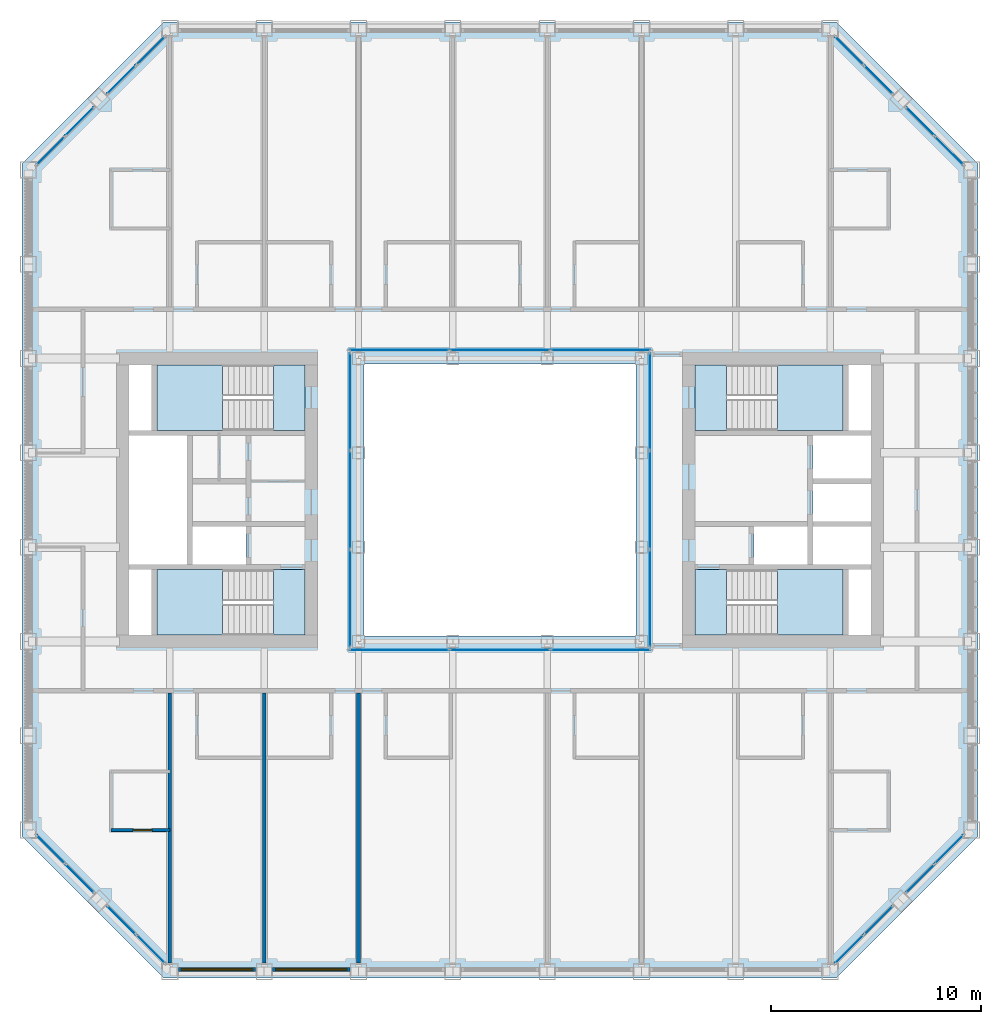
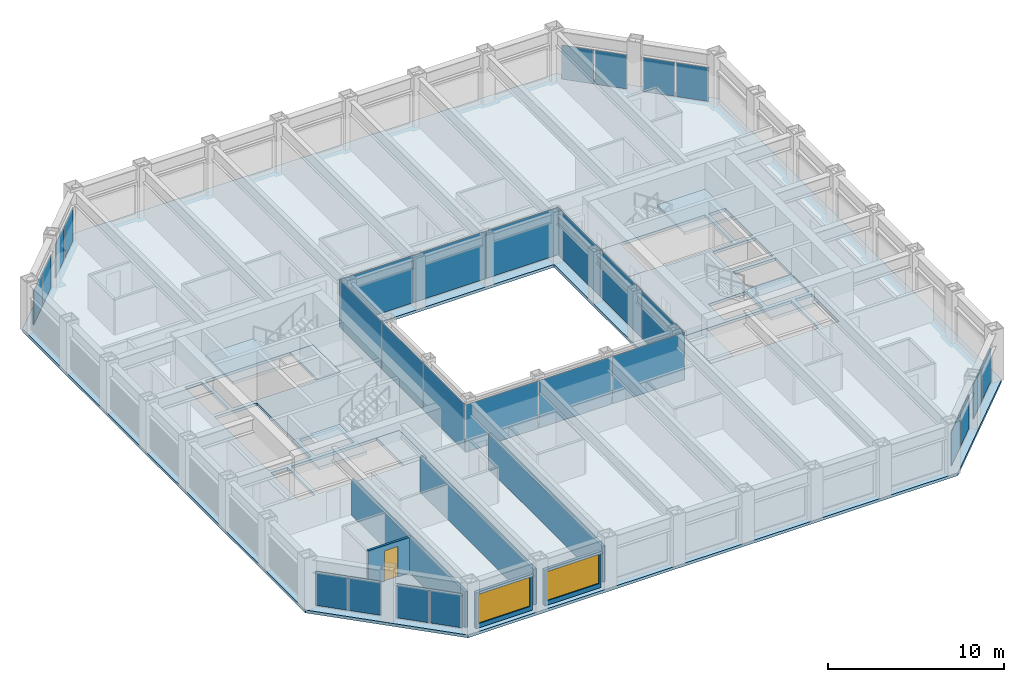
# One storey, part 9 of 17: 28 plates, 9 slabs, 6 walls, 2 windows, 1 door, 3 openings, 16 elements without a shape of their own.
"""IFC4 building model written with IfcOpenShell, lengths in metres."""

import ifcopenshell
import ifcopenshell.guid

model = None  # the IFC model being written
_history = None  # IfcOwnerHistory: only IFC2X3 demands one
_inside = {}  # id of a spatial element -> (the spatial element, [elements in it])
_under = {}  # id of a project, library or spatial element -> (it, [spatial elements below it])
_declared = {}  # id of a project -> (the project, [libraries it declares])
_typed = {}  # id of a type object -> (the type object, [elements of that type])
_made_of = {}  # id of a material, layer set ... -> (it, [elements and type objects made of it])


def new_model(schema):
    """Start an empty IFC model of exactly this schema.

    Asked for "IFC4X3", IfcOpenShell would pick the latest addendum, in which some entities
    have other attributes; the version numbers below select the first issue.
    IFC2X3 requires an IfcOwnerHistory on every rooted entity: one is made here for all.
    """
    global model, _history
    if schema == "IFC4X3":
        model = ifcopenshell.file(schema_version=(4, 3, 0, 0))
    else:
        model = ifcopenshell.file(schema=schema)
    _inside.clear()
    _under.clear()
    _declared.clear()
    _typed.clear()
    _made_of.clear()
    _history = None
    if model.schema == "IFC2X3":
        org = make("IfcOrganization", Name="unknown")
        user = make(
            "IfcPersonAndOrganization",
            ThePerson=make("IfcPerson", FamilyName="unknown"),
            TheOrganization=org,
        )
        app = make(
            "IfcApplication",
            ApplicationDeveloper=org,
            Version="unknown",
            ApplicationFullName="unknown",
            ApplicationIdentifier="unknown",
        )
        _history = make(
            "IfcOwnerHistory",
            OwningUser=user,
            OwningApplication=app,
            ChangeAction="ADDED",
            CreationDate=0,
        )
    return model


def make(cls, **values):
    """One entity of the class cls with the attributes given. An attribute that is None is left unset."""
    return model.create_entity(
        cls, **{name: value for name, value in values.items() if value is not None}
    )


def rooted(cls, **values):
    """An entity with a GlobalId (a new one), such as an element, a storey or a relation."""
    return make(cls, GlobalId=ifcopenshell.guid.new(), OwnerHistory=_history, **values)


def si_unit(unit_type, name, prefix=None):
    """IfcSIUnit, for example si_unit("LENGTHUNIT", "METRE", prefix="MILLI")."""
    return make("IfcSIUnit", UnitType=unit_type, Prefix=prefix, Name=name)


def assignment(units):
    """IfcUnitAssignment: the units of a project."""
    return None if units is None else make("IfcUnitAssignment", Units=units)


def point(xyz):
    """IfcCartesianPoint."""
    return None if xyz is None else make("IfcCartesianPoint", Coordinates=xyz)


def direction(xyz):
    """IfcDirection."""
    return None if xyz is None else make("IfcDirection", DirectionRatios=xyz)


def frame(location, z_axis=None, x_axis=None):
    """IfcAxis2Placement3D, a coordinate frame: its origin and axes. An axis left out is left unset."""
    return make(
        "IfcAxis2Placement3D",
        Location=point(location),
        Axis=direction(z_axis),
        RefDirection=direction(x_axis),
    )


def frame_2d(location, x_axis=None):
    """IfcAxis2Placement2D, a coordinate frame in the plane: its origin and x axis."""
    return make(
        "IfcAxis2Placement2D", Location=point(location), RefDirection=direction(x_axis)
    )


def origin():
    """The frame at (0, 0, 0) with its axes left unset."""
    return frame((0.0, 0.0, 0.0))


def origin_2d():
    """The frame at (0, 0) in the plane with its x axis left unset."""
    return frame_2d((0.0, 0.0))


def place(relative_to, where):
    """IfcLocalPlacement: puts the frame where relative to a parent placement (None: the world)."""
    return make(
        "IfcLocalPlacement", PlacementRelTo=relative_to, RelativePlacement=where
    )


def context(
    kind, dimensions, precision=None, world=None, true_north=None, identifier=None
):
    """IfcGeometricRepresentationContext, for example the 3D "Model" context."""
    return make(
        "IfcGeometricRepresentationContext",
        ContextIdentifier=identifier,
        ContextType=kind,
        CoordinateSpaceDimension=dimensions,
        Precision=precision,
        WorldCoordinateSystem=world,
        TrueNorth=true_north,
    )


def subcontext(parent, identifier, kind, view, scale=None):
    """IfcGeometricRepresentationSubContext, for example "Body" below "Model"."""
    return make(
        "IfcGeometricRepresentationSubContext",
        ContextIdentifier=identifier,
        ContextType=kind,
        ParentContext=parent,
        TargetScale=scale,
        TargetView=view,
    )


def project(units=None, contexts=None):
    """IfcProject with its units and contexts."""
    return rooted(
        "IfcProject",
        Name="project",
        RepresentationContexts=contexts,
        UnitsInContext=assignment(units),
    )


def spatial(cls, under=None, at=None, **own):
    """A site, building, storey or space (cls), placed at a placement, below another one or the project."""
    s = rooted(cls, ObjectPlacement=at, **own)
    if under is not None:
        _under.setdefault(under.id(), (under, []))[1].append(s)
    return s


def polyline(points):
    """IfcPolyline through the points."""
    return make("IfcPolyline", Points=[point(p) for p in points])


def profile(cls, at=None, kind="AREA", **sizes):
    """A parametric profile (cls). Its sizes go by their IFC names, for example OverallWidth=200.0."""
    return make(cls, ProfileType=kind, Position=at, **sizes)


def rectangle(**sizes):
    """IfcRectangleProfileDef."""
    return profile("IfcRectangleProfileDef", **sizes)


def outline(outer, holes=None, kind="AREA"):
    """IfcArbitraryClosedProfileDef: a profile drawn as a closed curve; with holes, ...WithVoids."""
    if holes is None:
        return make("IfcArbitraryClosedProfileDef", ProfileType=kind, OuterCurve=outer)
    return make(
        "IfcArbitraryProfileDefWithVoids",
        ProfileType=kind,
        OuterCurve=outer,
        InnerCurves=holes,
    )


def extrude(swept, where, along, depth):
    """IfcExtrudedAreaSolid: the profile swept, set in the frame where, extruded along a direction by depth."""
    return make(
        "IfcExtrudedAreaSolid",
        SweptArea=swept,
        Position=where,
        ExtrudedDirection=direction(along),
        Depth=depth,
    )


def shape(context_of_items, identifier, shape_type, items):
    """IfcShapeRepresentation: the items that make up one representation, for example the "Body"."""
    return make(
        "IfcShapeRepresentation",
        ContextOfItems=context_of_items,
        RepresentationIdentifier=identifier,
        RepresentationType=shape_type,
        Items=items,
    )


def material(Name=None, Category=None):
    """IfcMaterial."""
    return make("IfcMaterial", Name=Name, Category=Category)


def layer(
    of_material, thickness, ventilated=None, Name=None, Category=None, Priority=None
):
    """IfcMaterialLayer: one layer of a wall or slab, of a material (None: an air gap)."""
    return make(
        "IfcMaterialLayer",
        Material=of_material,
        LayerThickness=thickness,
        IsVentilated=ventilated,
        Name=Name,
        Category=Category,
        Priority=Priority,
    )


def layer_set(layers, Name=None):
    """IfcMaterialLayerSet."""
    return make("IfcMaterialLayerSet", MaterialLayers=layers, LayerSetName=Name)


def made_of(thing, what):
    """Note that an element or type object is made of a material, layer set ...; save() writes the relation."""
    if what is not None:
        _made_of.setdefault(what.id(), (what, []))[1].append(thing)
    return thing


def type_object(cls, material=None, **own):
    """A type object (cls), such as IfcWallType, which elements share."""
    return made_of(rooted(cls, **own), material)


def element(
    cls,
    number,
    at=None,
    inside=None,
    cuts=None,
    type_object=None,
    material=None,
    context=None,
    identifier="Body",
    shape_type=None,
    held_by="IfcProductDefinitionShape",
    body=None,
    shapes=None,
    **own,
):
    """One element of the class cls, such as IfcWall. Its Tag is "e" and its number.

    at: its placement. inside: the storey or other place that contains it. cuts: it is an
    opening in that element (IfcRelVoidsElement). A single representation is given by context,
    identifier, shape_type and body (its items); several are given by shapes. held_by: the class
    of the entity that holds the representations. save() writes the other relations.
    """
    e = rooted(cls, Tag="e%d" % number, ObjectPlacement=at, **own)
    if body is not None:
        shapes = [shape(context, identifier, shape_type, body)]
    if shapes is not None:
        e.Representation = make(held_by, Representations=shapes)
    if inside is not None:
        _inside.setdefault(inside.id(), (inside, []))[1].append(e)
    if cuts is not None:
        rooted(
            "IfcRelVoidsElement", RelatingBuildingElement=cuts, RelatedOpeningElement=e
        )
    if type_object is not None:
        _typed.setdefault(type_object.id(), (type_object, []))[1].append(e)
    return made_of(e, material)


def fill(opening, filler):
    """IfcRelFillsElement: the door or window that sits in an opening."""
    return rooted(
        "IfcRelFillsElement",
        RelatingOpeningElement=opening,
        RelatedBuildingElement=filler,
    )


def aggregate(whole, parts):
    """IfcRelAggregates: a whole, such as a stair, and the parts it consists of."""
    return rooted("IfcRelAggregates", RelatingObject=whole, RelatedObjects=parts)


def save(model, path):
    """Write the relations noted so far, then the file.

    IfcRelAggregates (storeys below a building ...), IfcRelContainedInSpatialStructure (elements
    in a storey), IfcRelDefinesByType, IfcRelAssociatesMaterial and IfcRelDeclares: one each for
    every whole, place, type object, material and project.
    """
    for whole, parts in _under.values():
        aggregate(whole, parts)
    for where, things in _inside.values():
        rooted(
            "IfcRelContainedInSpatialStructure",
            RelatedElements=things,
            RelatingStructure=where,
        )
    for kind, things in _typed.values():
        rooted("IfcRelDefinesByType", RelatedObjects=things, RelatingType=kind)
    for what, things in _made_of.values():
        rooted("IfcRelAssociatesMaterial", RelatedObjects=things, RelatingMaterial=what)
    for by, libraries in _declared.values():
        rooted("IfcRelDeclares", RelatingContext=by, RelatedDefinitions=libraries)
    model.write(path)


model = new_model("IFC4")

# Units and contexts
model_context = context("Model", 3, precision=1e-05, world=origin(), true_north=direction((0.0, 1.0)))
body_context = subcontext(model_context, "Body", "Model", "MODEL_VIEW")
ifc_project = project(units=[si_unit("LENGTHUNIT", "METRE"), si_unit("AREAUNIT", "SQUARE_METRE"), si_unit("VOLUMEUNIT", "CUBIC_METRE"), si_unit("PLANEANGLEUNIT", "RADIAN"), si_unit("MASSUNIT", "GRAM", prefix="KILO")], contexts=[model_context])

# Site, building, storey
site_placement = place(None, origin())
site = spatial("IfcSite", under=ifc_project, at=site_placement, CompositionType="ELEMENT")
building_placement = place(site_placement, origin())
building = spatial("IfcBuilding", under=site, at=building_placement, Name="Msasa Ring Tower", CompositionType="ELEMENT")
storey_placement = place(building_placement, frame((0.0, 0.0, 147.199951171875)))
storey = spatial("IfcBuildingStorey", under=building, at=storey_placement, Name="L38", CompositionType="ELEMENT", Elevation=147.199951171875)

# Curtain wall, plates
ifc_material_1 = material(Name="Aluminium curtain wall with clear glass", Category="aluminium")
curtain_wall_type_1 = type_object("IfcCurtainWallType", Name="CW-C CHAMFER CORNER CURTAIN WALL", PredefinedType="NOTDEFINED", material=ifc_material_1)
curtain_wall_1_placement = place(storey_placement, origin())
curtain_wall_1 = element("IfcCurtainWall", 1, at=curtain_wall_1_placement, inside=storey, type_object=curtain_wall_type_1, Name="Chamfer corner curtain wall SE L38", PredefinedType="NOTDEFINED")
ifc_material_2 = material(Name="Clear laminated insulating glass unit", Category="glass")
ifc_layer_1 = layer(ifc_material_2, 0.031982421875)
ifc_layer_set_1 = layer_set([ifc_layer_1], Name="CW-C GLASS PANEL 32")
plate_type_1 = type_object("IfcPlateType", Name="CW-C GLASS PANEL 32", PredefinedType="CURTAIN_PANEL", material=ifc_layer_set_1)
plate_1_placement = place(storey_placement, frame((16.677734375, -21.430908203125, 0.06494140625), z_axis=(0.0, 0.0, 1.0), x_axis=(0.707106781187, 0.707106781187, 0.0)))
plate_1 = element("IfcPlate", 2, at=plate_1_placement, type_object=plate_type_1, Name="CW-C panel 1.1", PredefinedType="CURTAIN_PANEL", context=body_context, shape_type="SweptSolid", body=[
    extrude(rectangle(XDim=1.884033203125, YDim=0.031982421875, at=origin_2d()), origin(), (0.0, 0.0, 1.0), 2.34912109375),
])
plate_2_placement = place(storey_placement, frame((18.055908203125, -20.052734375, 0.06494140625), z_axis=(0.0, 0.0, 1.0), x_axis=(0.707106781187, 0.707106781187, 0.0)))
plate_2 = element("IfcPlate", 3, at=plate_2_placement, type_object=plate_type_1, Name="CW-C panel 2.1", PredefinedType="CURTAIN_PANEL", context=body_context, shape_type="SweptSolid", body=[
    extrude(rectangle(XDim=1.884033203125, YDim=0.031982421875, at=origin_2d()), origin(), (0.0, 0.0, 1.0), 2.34912109375),
])
aggregate(curtain_wall_1, [plate_1, plate_2])

curtain_wall_2_placement = place(storey_placement, origin())
curtain_wall_2 = element("IfcCurtainWall", 4, at=curtain_wall_2_placement, inside=storey, type_object=curtain_wall_type_1, Name="Chamfer corner curtain wall SE L38", PredefinedType="NOTDEFINED")
plate_3_placement = place(storey_placement, frame((20.052734375, -18.055908203125, 0.06494140625), z_axis=(0.0, 0.0, 1.0), x_axis=(0.707106781187, 0.707106781187, 0.0)))
plate_3 = element("IfcPlate", 5, at=plate_3_placement, type_object=plate_type_1, Name="CW-C panel 1.1", PredefinedType="CURTAIN_PANEL", context=body_context, shape_type="SweptSolid", body=[
    extrude(rectangle(XDim=1.884033203125, YDim=0.031982421875, at=origin_2d()), origin(), (0.0, 0.0, 1.0), 2.34912109375),
])
plate_4_placement = place(storey_placement, frame((21.430908203125, -16.677734375, 0.06494140625), z_axis=(0.0, 0.0, 1.0), x_axis=(0.707106781187, 0.707106781187, 0.0)))
plate_4 = element("IfcPlate", 6, at=plate_4_placement, type_object=plate_type_1, Name="CW-C panel 2.1", PredefinedType="CURTAIN_PANEL", context=body_context, shape_type="SweptSolid", body=[
    extrude(rectangle(XDim=1.884033203125, YDim=0.031982421875, at=origin_2d()), origin(), (0.0, 0.0, 1.0), 2.34912109375),
])
aggregate(curtain_wall_2, [plate_3, plate_4])

curtain_wall_3_placement = place(storey_placement, origin())
curtain_wall_3 = element("IfcCurtainWall", 7, at=curtain_wall_3_placement, inside=storey, type_object=curtain_wall_type_1, Name="Chamfer corner curtain wall NE L38", PredefinedType="NOTDEFINED")
plate_5_placement = place(storey_placement, frame((18.055908203125, 20.052734375, 0.06494140625), z_axis=(0.0, 0.0, 1.0), x_axis=(-0.707106781187, 0.707106781187, 0.0)))
plate_5 = element("IfcPlate", 8, at=plate_5_placement, type_object=plate_type_1, Name="CW-C panel 1.1", PredefinedType="CURTAIN_PANEL", context=body_context, shape_type="SweptSolid", body=[
    extrude(rectangle(XDim=1.884033203125, YDim=0.031982421875, at=origin_2d()), origin(), (0.0, 0.0, 1.0), 2.34912109375),
])
plate_6_placement = place(storey_placement, frame((16.677734375, 21.430908203125, 0.06494140625), z_axis=(0.0, 0.0, 1.0), x_axis=(-0.707106781187, 0.707106781187, 0.0)))
plate_6 = element("IfcPlate", 9, at=plate_6_placement, type_object=plate_type_1, Name="CW-C panel 2.1", PredefinedType="CURTAIN_PANEL", context=body_context, shape_type="SweptSolid", body=[
    extrude(rectangle(XDim=1.884033203125, YDim=0.031982421875, at=origin_2d()), origin(), (0.0, 0.0, 1.0), 2.34912109375),
])
aggregate(curtain_wall_3, [plate_5, plate_6])

curtain_wall_4_placement = place(storey_placement, origin())
curtain_wall_4 = element("IfcCurtainWall", 10, at=curtain_wall_4_placement, inside=storey, type_object=curtain_wall_type_1, Name="Chamfer corner curtain wall NE L38", PredefinedType="NOTDEFINED")
plate_7_placement = place(storey_placement, frame((21.430908203125, 16.677734375, 0.06494140625), z_axis=(0.0, 0.0, 1.0), x_axis=(-0.707106781187, 0.707106781187, 0.0)))
plate_7 = element("IfcPlate", 11, at=plate_7_placement, type_object=plate_type_1, Name="CW-C panel 1.1", PredefinedType="CURTAIN_PANEL", context=body_context, shape_type="SweptSolid", body=[
    extrude(rectangle(XDim=1.884033203125, YDim=0.031982421875, at=origin_2d()), origin(), (0.0, 0.0, 1.0), 2.34912109375),
])
plate_8_placement = place(storey_placement, frame((20.052734375, 18.055908203125, 0.06494140625), z_axis=(0.0, 0.0, 1.0), x_axis=(-0.707106781187, 0.707106781187, 0.0)))
plate_8 = element("IfcPlate", 12, at=plate_8_placement, type_object=plate_type_1, Name="CW-C panel 2.1", PredefinedType="CURTAIN_PANEL", context=body_context, shape_type="SweptSolid", body=[
    extrude(rectangle(XDim=1.884033203125, YDim=0.031982421875, at=origin_2d()), origin(), (0.0, 0.0, 1.0), 2.34912109375),
])
aggregate(curtain_wall_4, [plate_7, plate_8])

curtain_wall_5_placement = place(storey_placement, origin())
curtain_wall_5 = element("IfcCurtainWall", 13, at=curtain_wall_5_placement, inside=storey, type_object=curtain_wall_type_1, Name="Chamfer corner curtain wall NW L38", PredefinedType="NOTDEFINED")
plate_9_placement = place(storey_placement, frame((-20.052734375, 18.055908203125, 0.06494140625), z_axis=(0.0, 0.0, 1.0), x_axis=(-0.707106781187, -0.707106781187, 0.0)))
plate_9 = element("IfcPlate", 14, at=plate_9_placement, type_object=plate_type_1, Name="CW-C panel 1.1", PredefinedType="CURTAIN_PANEL", context=body_context, shape_type="SweptSolid", body=[
    extrude(rectangle(XDim=1.884033203125, YDim=0.031982421875, at=origin_2d()), origin(), (0.0, 0.0, 1.0), 2.34912109375),
])
plate_10_placement = place(storey_placement, frame((-21.430908203125, 16.677734375, 0.06494140625), z_axis=(0.0, 0.0, 1.0), x_axis=(-0.707106781187, -0.707106781187, 0.0)))
plate_10 = element("IfcPlate", 15, at=plate_10_placement, type_object=plate_type_1, Name="CW-C panel 2.1", PredefinedType="CURTAIN_PANEL", context=body_context, shape_type="SweptSolid", body=[
    extrude(rectangle(XDim=1.884033203125, YDim=0.031982421875, at=origin_2d()), origin(), (0.0, 0.0, 1.0), 2.34912109375),
])
aggregate(curtain_wall_5, [plate_9, plate_10])

curtain_wall_6_placement = place(storey_placement, origin())
curtain_wall_6 = element("IfcCurtainWall", 16, at=curtain_wall_6_placement, inside=storey, type_object=curtain_wall_type_1, Name="Chamfer corner curtain wall NW L38", PredefinedType="NOTDEFINED")
plate_11_placement = place(storey_placement, frame((-16.677734375, 21.430908203125, 0.06494140625), z_axis=(0.0, 0.0, 1.0), x_axis=(-0.707106781187, -0.707106781187, 0.0)))
plate_11 = element("IfcPlate", 17, at=plate_11_placement, type_object=plate_type_1, Name="CW-C panel 1.1", PredefinedType="CURTAIN_PANEL", context=body_context, shape_type="SweptSolid", body=[
    extrude(rectangle(XDim=1.884033203125, YDim=0.031982421875, at=origin_2d()), origin(), (0.0, 0.0, 1.0), 2.34912109375),
])
plate_12_placement = place(storey_placement, frame((-18.055908203125, 20.052734375, 0.06494140625), z_axis=(0.0, 0.0, 1.0), x_axis=(-0.707106781187, -0.707106781187, 0.0)))
plate_12 = element("IfcPlate", 18, at=plate_12_placement, type_object=plate_type_1, Name="CW-C panel 2.1", PredefinedType="CURTAIN_PANEL", context=body_context, shape_type="SweptSolid", body=[
    extrude(rectangle(XDim=1.884033203125, YDim=0.031982421875, at=origin_2d()), origin(), (0.0, 0.0, 1.0), 2.34912109375),
])
aggregate(curtain_wall_6, [plate_11, plate_12])

curtain_wall_7_placement = place(storey_placement, origin())
curtain_wall_7 = element("IfcCurtainWall", 19, at=curtain_wall_7_placement, inside=storey, type_object=curtain_wall_type_1, Name="Chamfer corner curtain wall SW L38", PredefinedType="NOTDEFINED")
plate_13_placement = place(storey_placement, frame((-21.430908203125, -16.677734375, 0.06494140625), z_axis=(0.0, 0.0, 1.0), x_axis=(0.707106781187, -0.707106781187, 0.0)))
plate_13 = element("IfcPlate", 20, at=plate_13_placement, type_object=plate_type_1, Name="CW-C panel 1.1", PredefinedType="CURTAIN_PANEL", context=body_context, shape_type="SweptSolid", body=[
    extrude(rectangle(XDim=1.884033203125, YDim=0.031982421875, at=origin_2d()), origin(), (0.0, 0.0, 1.0), 2.34912109375),
])
plate_14_placement = place(storey_placement, frame((-20.052734375, -18.055908203125, 0.06494140625), z_axis=(0.0, 0.0, 1.0), x_axis=(0.707106781187, -0.707106781187, 0.0)))
plate_14 = element("IfcPlate", 21, at=plate_14_placement, type_object=plate_type_1, Name="CW-C panel 2.1", PredefinedType="CURTAIN_PANEL", context=body_context, shape_type="SweptSolid", body=[
    extrude(rectangle(XDim=1.884033203125, YDim=0.031982421875, at=origin_2d()), origin(), (0.0, 0.0, 1.0), 2.34912109375),
])
aggregate(curtain_wall_7, [plate_13, plate_14])

curtain_wall_8_placement = place(storey_placement, origin())
curtain_wall_8 = element("IfcCurtainWall", 22, at=curtain_wall_8_placement, inside=storey, type_object=curtain_wall_type_1, Name="Chamfer corner curtain wall SW L38", PredefinedType="NOTDEFINED")
plate_15_placement = place(storey_placement, frame((-18.055908203125, -20.052734375, 0.06494140625), z_axis=(0.0, 0.0, 1.0), x_axis=(0.707106781187, -0.707106781187, 0.0)))
plate_15 = element("IfcPlate", 23, at=plate_15_placement, type_object=plate_type_1, Name="CW-C panel 1.1", PredefinedType="CURTAIN_PANEL", context=body_context, shape_type="SweptSolid", body=[
    extrude(rectangle(XDim=1.884033203125, YDim=0.031982421875, at=origin_2d()), origin(), (0.0, 0.0, 1.0), 2.34912109375),
])
plate_16_placement = place(storey_placement, frame((-16.677734375, -21.430908203125, 0.06494140625), z_axis=(0.0, 0.0, 1.0), x_axis=(0.707106781187, -0.707106781187, 0.0)))
plate_16 = element("IfcPlate", 24, at=plate_16_placement, type_object=plate_type_1, Name="CW-C panel 2.1", PredefinedType="CURTAIN_PANEL", context=body_context, shape_type="SweptSolid", body=[
    extrude(rectangle(XDim=1.884033203125, YDim=0.031982421875, at=origin_2d()), origin(), (0.0, 0.0, 1.0), 2.34912109375),
])
aggregate(curtain_wall_8, [plate_15, plate_16])

ifc_material_3 = material(Name="Aluminium curtain wall with clear glass", Category="aluminium")
curtain_wall_type_2 = type_object("IfcCurtainWallType", Name="CW-W LIGHT WELL CURTAIN WALL", PredefinedType="NOTDEFINED", material=ifc_material_3)
curtain_wall_9_placement = place(storey_placement, origin())
curtain_wall_9 = element("IfcCurtainWall", 25, at=curtain_wall_9_placement, inside=storey, type_object=curtain_wall_type_2, Name="Light well curtain wall N L38", PredefinedType="NOTDEFINED")
ifc_material_4 = material(Name="Clear laminated insulating glass unit", Category="glass")
ifc_layer_2 = layer(ifc_material_4, 0.028076171875)
ifc_layer_set_2 = layer_set([ifc_layer_2], Name="CW-W GLASS PANEL 28")
plate_type_2 = type_object("IfcPlateType", Name="CW-W GLASS PANEL 28", PredefinedType="CURTAIN_PANEL", material=ifc_layer_set_2)
plate_17_placement = place(storey_placement, frame((-4.804931640625, 7.14990234375, 0.06005859375), z_axis=(0.0, 0.0, 1.0), x_axis=(1.0, 0.0, 0.0)))
plate_17 = element("IfcPlate", 26, at=plate_17_placement, type_object=plate_type_2, Name="CW-W panel 1.1", PredefinedType="CURTAIN_PANEL", context=body_context, shape_type="SweptSolid", body=[
    extrude(rectangle(XDim=4.72998046875, YDim=0.028076171875, at=origin_2d()), origin(), (0.0, 0.0, 1.0), 3.280029296875),
])
plate_18_placement = place(storey_placement, frame((0.0, 7.14990234375, 0.06005859375), z_axis=(0.0, 0.0, 1.0), x_axis=(1.0, 0.0, 0.0)))
plate_18 = element("IfcPlate", 27, at=plate_18_placement, type_object=plate_type_2, Name="CW-W panel 2.1", PredefinedType="CURTAIN_PANEL", context=body_context, shape_type="SweptSolid", body=[
    extrude(rectangle(XDim=4.760009765625, YDim=0.028076171875, at=origin_2d()), origin(), (0.0, 0.0, 1.0), 3.280029296875),
])
plate_19_placement = place(storey_placement, frame((4.804931640625, 7.14990234375, 0.06005859375), z_axis=(0.0, 0.0, 1.0), x_axis=(1.0, 0.0, 0.0)))
plate_19 = element("IfcPlate", 28, at=plate_19_placement, type_object=plate_type_2, Name="CW-W panel 3.1", PredefinedType="CURTAIN_PANEL", context=body_context, shape_type="SweptSolid", body=[
    extrude(rectangle(XDim=4.72998046875, YDim=0.028076171875, at=origin_2d()), origin(), (0.0, 0.0, 1.0), 3.280029296875),
])
aggregate(curtain_wall_9, [plate_17, plate_18, plate_19])

curtain_wall_10_placement = place(storey_placement, origin())
curtain_wall_10 = element("IfcCurtainWall", 29, at=curtain_wall_10_placement, inside=storey, type_object=curtain_wall_type_2, Name="Light well curtain wall S L38", PredefinedType="NOTDEFINED")
plate_20_placement = place(storey_placement, frame((-4.804931640625, -7.14990234375, 0.06005859375), z_axis=(0.0, 0.0, 1.0), x_axis=(1.0, 0.0, 0.0)))
plate_20 = element("IfcPlate", 30, at=plate_20_placement, type_object=plate_type_2, Name="CW-W panel 1.1", PredefinedType="CURTAIN_PANEL", context=body_context, shape_type="SweptSolid", body=[
    extrude(rectangle(XDim=4.72998046875, YDim=0.028076171875, at=origin_2d()), origin(), (0.0, 0.0, 1.0), 3.280029296875),
])
plate_21_placement = place(storey_placement, frame((0.0, -7.14990234375, 0.06005859375), z_axis=(0.0, 0.0, 1.0), x_axis=(1.0, 0.0, 0.0)))
plate_21 = element("IfcPlate", 31, at=plate_21_placement, type_object=plate_type_2, Name="CW-W panel 2.1", PredefinedType="CURTAIN_PANEL", context=body_context, shape_type="SweptSolid", body=[
    extrude(rectangle(XDim=4.760009765625, YDim=0.028076171875, at=origin_2d()), origin(), (0.0, 0.0, 1.0), 3.280029296875),
])
plate_22_placement = place(storey_placement, frame((4.804931640625, -7.14990234375, 0.06005859375), z_axis=(0.0, 0.0, 1.0), x_axis=(1.0, 0.0, 0.0)))
plate_22 = element("IfcPlate", 32, at=plate_22_placement, type_object=plate_type_2, Name="CW-W panel 3.1", PredefinedType="CURTAIN_PANEL", context=body_context, shape_type="SweptSolid", body=[
    extrude(rectangle(XDim=4.72998046875, YDim=0.028076171875, at=origin_2d()), origin(), (0.0, 0.0, 1.0), 3.280029296875),
])
aggregate(curtain_wall_10, [plate_20, plate_21, plate_22])

curtain_wall_11_placement = place(storey_placement, origin())
curtain_wall_11 = element("IfcCurtainWall", 33, at=curtain_wall_11_placement, inside=storey, type_object=curtain_wall_type_2, Name="Light well curtain wall E L38", PredefinedType="NOTDEFINED")
plate_23_placement = place(storey_placement, frame((7.14990234375, -4.6982421875, 0.06005859375), z_axis=(0.0, 0.0, 1.0), x_axis=(0.0, 1.0, 0.0)))
plate_23 = element("IfcPlate", 34, at=plate_23_placement, type_object=plate_type_2, Name="CW-W panel 1.1", PredefinedType="CURTAIN_PANEL", context=body_context, shape_type="SweptSolid", body=[
    extrude(rectangle(XDim=4.623291015625, YDim=0.028076171875, at=origin_2d()), origin(), (0.0, 0.0, 1.0), 3.280029296875),
])
plate_24_placement = place(storey_placement, frame((7.14990234375, 0.0, 0.06005859375), z_axis=(0.0, 0.0, 1.0), x_axis=(0.0, 1.0, 0.0)))
plate_24 = element("IfcPlate", 35, at=plate_24_placement, type_object=plate_type_2, Name="CW-W panel 2.1", PredefinedType="CURTAIN_PANEL", context=body_context, shape_type="SweptSolid", body=[
    extrude(rectangle(XDim=4.6533203125, YDim=0.028076171875, at=origin_2d()), origin(), (0.0, 0.0, 1.0), 3.280029296875),
])
plate_25_placement = place(storey_placement, frame((7.14990234375, 4.6982421875, 0.06005859375), z_axis=(0.0, 0.0, 1.0), x_axis=(0.0, 1.0, 0.0)))
plate_25 = element("IfcPlate", 36, at=plate_25_placement, type_object=plate_type_2, Name="CW-W panel 3.1", PredefinedType="CURTAIN_PANEL", context=body_context, shape_type="SweptSolid", body=[
    extrude(rectangle(XDim=4.623291015625, YDim=0.028076171875, at=origin_2d()), origin(), (0.0, 0.0, 1.0), 3.280029296875),
])
aggregate(curtain_wall_11, [plate_23, plate_24, plate_25])

curtain_wall_12_placement = place(storey_placement, origin())
curtain_wall_12 = element("IfcCurtainWall", 37, at=curtain_wall_12_placement, inside=storey, type_object=curtain_wall_type_2, Name="Light well curtain wall W L38", PredefinedType="NOTDEFINED")
plate_26_placement = place(storey_placement, frame((-7.14990234375, -4.6982421875, 0.06005859375), z_axis=(0.0, 0.0, 1.0), x_axis=(0.0, 1.0, 0.0)))
plate_26 = element("IfcPlate", 38, at=plate_26_placement, type_object=plate_type_2, Name="CW-W panel 1.1", PredefinedType="CURTAIN_PANEL", context=body_context, shape_type="SweptSolid", body=[
    extrude(rectangle(XDim=4.623291015625, YDim=0.028076171875, at=origin_2d()), origin(), (0.0, 0.0, 1.0), 3.280029296875),
])
plate_27_placement = place(storey_placement, frame((-7.14990234375, 0.0, 0.06005859375), z_axis=(0.0, 0.0, 1.0), x_axis=(0.0, 1.0, 0.0)))
plate_27 = element("IfcPlate", 39, at=plate_27_placement, type_object=plate_type_2, Name="CW-W panel 2.1", PredefinedType="CURTAIN_PANEL", context=body_context, shape_type="SweptSolid", body=[
    extrude(rectangle(XDim=4.6533203125, YDim=0.028076171875, at=origin_2d()), origin(), (0.0, 0.0, 1.0), 3.280029296875),
])
plate_28_placement = place(storey_placement, frame((-7.14990234375, 4.6982421875, 0.06005859375), z_axis=(0.0, 0.0, 1.0), x_axis=(0.0, 1.0, 0.0)))
plate_28 = element("IfcPlate", 40, at=plate_28_placement, type_object=plate_type_2, Name="CW-W panel 3.1", PredefinedType="CURTAIN_PANEL", context=body_context, shape_type="SweptSolid", body=[
    extrude(rectangle(XDim=4.623291015625, YDim=0.028076171875, at=origin_2d()), origin(), (0.0, 0.0, 1.0), 3.280029296875),
])
aggregate(curtain_wall_12, [plate_26, plate_27, plate_28])

# Stair, slabs
ifc_material_5 = material(Name="Concrete C40/50", Category="concrete")
stair_type = type_object("IfcStairType", Name="STC CORE STAIR 20 RISERS 180", PredefinedType="HALF_TURN_STAIR", material=ifc_material_5)
stair_1_placement = place(storey_placement, origin())
stair_1 = element("IfcStair", 41, at=stair_1_placement, inside=storey, type_object=stair_type, Name="Core stair SEA L38", PredefinedType="HALF_TURN_STAIR")
ifc_material_6 = material(Name="Concrete C40/50", Category="concrete")
ifc_layer_3 = layer(ifc_material_6, 0.199951171875)
ifc_layer_set_3 = layer_set([ifc_layer_3], Name="LD1 CORE STAIR LANDING 200")
slab_type_1 = type_object("IfcSlabType", Name="LD1 CORE STAIR LANDING 200", PredefinedType="LANDING", material=ifc_layer_set_3)
slab_1_placement = place(storey_placement, frame((0.0, 0.0, -0.199951171875)))
slab_1 = element("IfcSlab", 42, at=slab_1_placement, type_object=slab_type_1, Name="SEA landing 1", PredefinedType="LANDING", context=body_context, shape_type="SweptSolid", body=[
    extrude(outline(polyline([(9.300048828125, -6.449951171875), (10.800048828125, -6.449951171875), (10.800048828125, -3.324951171875), (9.300048828125, -3.324951171875), (9.300048828125, -6.449951171875)])), origin(), (0.0, 0.0, 1.0), 0.199951171875),
])
slab_2_placement = place(storey_placement, frame((0.0, 0.0, 1.60009765625)))
slab_2 = element("IfcSlab", 43, at=slab_2_placement, type_object=slab_type_1, Name="SEA landing 2", PredefinedType="LANDING", context=body_context, shape_type="SweptSolid", body=[
    extrude(outline(polyline([(13.22998046875, -6.449951171875), (16.375, -6.449951171875), (16.375, -3.324951171875), (13.22998046875, -3.324951171875), (13.22998046875, -6.449951171875)])), origin(), (0.0, 0.0, 1.0), 0.199951171875),
])
aggregate(stair_1, [slab_1, slab_2])

stair_2_placement = place(storey_placement, origin())
stair_2 = element("IfcStair", 44, at=stair_2_placement, inside=storey, type_object=stair_type, Name="Core stair SEB L38", PredefinedType="HALF_TURN_STAIR")
slab_3_placement = place(storey_placement, frame((0.0, 0.0, -0.199951171875)))
slab_3 = element("IfcSlab", 45, at=slab_3_placement, type_object=slab_type_1, Name="SEB landing 1", PredefinedType="LANDING", context=body_context, shape_type="SweptSolid", body=[
    extrude(outline(polyline([(9.300048828125, 3.324951171875), (10.800048828125, 3.324951171875), (10.800048828125, 6.449951171875), (9.300048828125, 6.449951171875), (9.300048828125, 3.324951171875)])), origin(), (0.0, 0.0, 1.0), 0.199951171875),
])
slab_4_placement = place(storey_placement, frame((0.0, 0.0, 1.60009765625)))
slab_4 = element("IfcSlab", 46, at=slab_4_placement, type_object=slab_type_1, Name="SEB landing 2", PredefinedType="LANDING", context=body_context, shape_type="SweptSolid", body=[
    extrude(outline(polyline([(13.22998046875, 3.324951171875), (16.375, 3.324951171875), (16.375, 6.449951171875), (13.22998046875, 6.449951171875), (13.22998046875, 3.324951171875)])), origin(), (0.0, 0.0, 1.0), 0.199951171875),
])
aggregate(stair_2, [slab_3, slab_4])

stair_3_placement = place(storey_placement, origin())
stair_3 = element("IfcStair", 47, at=stair_3_placement, inside=storey, type_object=stair_type, Name="Core stair SWA L38", PredefinedType="HALF_TURN_STAIR")
slab_5_placement = place(storey_placement, frame((0.0, 0.0, -0.199951171875)))
slab_5 = element("IfcSlab", 48, at=slab_5_placement, type_object=slab_type_1, Name="SWA landing 1", PredefinedType="LANDING", context=body_context, shape_type="SweptSolid", body=[
    extrude(outline(polyline([(-10.800048828125, -6.449951171875), (-9.300048828125, -6.449951171875), (-9.300048828125, -3.324951171875), (-10.800048828125, -3.324951171875), (-10.800048828125, -6.449951171875)])), origin(), (0.0, 0.0, 1.0), 0.199951171875),
])
slab_6_placement = place(storey_placement, frame((0.0, 0.0, 1.60009765625)))
slab_6 = element("IfcSlab", 49, at=slab_6_placement, type_object=slab_type_1, Name="SWA landing 2", PredefinedType="LANDING", context=body_context, shape_type="SweptSolid", body=[
    extrude(outline(polyline([(-16.375, -6.449951171875), (-13.22998046875, -6.449951171875), (-13.22998046875, -3.324951171875), (-16.375, -3.324951171875), (-16.375, -6.449951171875)])), origin(), (0.0, 0.0, 1.0), 0.199951171875),
])
aggregate(stair_3, [slab_5, slab_6])

stair_4_placement = place(storey_placement, origin())
stair_4 = element("IfcStair", 50, at=stair_4_placement, inside=storey, type_object=stair_type, Name="Core stair SWB L38", PredefinedType="HALF_TURN_STAIR")
slab_7_placement = place(storey_placement, frame((0.0, 0.0, -0.199951171875)))
slab_7 = element("IfcSlab", 51, at=slab_7_placement, type_object=slab_type_1, Name="SWB landing 1", PredefinedType="LANDING", context=body_context, shape_type="SweptSolid", body=[
    extrude(outline(polyline([(-10.800048828125, 3.324951171875), (-9.300048828125, 3.324951171875), (-9.300048828125, 6.449951171875), (-10.800048828125, 6.449951171875), (-10.800048828125, 3.324951171875)])), origin(), (0.0, 0.0, 1.0), 0.199951171875),
])
slab_8_placement = place(storey_placement, frame((0.0, 0.0, 1.60009765625)))
slab_8 = element("IfcSlab", 52, at=slab_8_placement, type_object=slab_type_1, Name="SWB landing 2", PredefinedType="LANDING", context=body_context, shape_type="SweptSolid", body=[
    extrude(outline(polyline([(-16.375, 3.324951171875), (-13.22998046875, 3.324951171875), (-13.22998046875, 6.449951171875), (-16.375, 6.449951171875), (-16.375, 3.324951171875)])), origin(), (0.0, 0.0, 1.0), 0.199951171875),
])
aggregate(stair_4, [slab_7, slab_8])

# Slab
ifc_material_7 = material(Name="Concrete C40/50", Category="concrete")
ifc_layer_4 = layer(ifc_material_7, 0.199951171875)
ifc_layer_set_4 = layer_set([ifc_layer_4], Name="S6 GUEST FLOOR 200")
slab_type_2 = type_object("IfcSlabType", Name="S6 GUEST FLOOR 200", PredefinedType="FLOOR", material=ifc_layer_set_4)
slab_9_placement = place(storey_placement, frame((0.0, 0.0, -0.199951171875)))
element("IfcSlab", 53, at=slab_9_placement, inside=storey, type_object=slab_type_2, Name="Floor slab L38", PredefinedType="FLOOR", context=body_context, shape_type="SweptSolid", body=[
    extrude(outline(polyline([(-16.050048828125, -22.800048828125), (16.050048828125, -22.800048828125), (22.800048828125, -16.050048828125), (22.800048828125, 16.050048828125), (16.050048828125, 22.800048828125), (-16.050048828125, 22.800048828125), (-22.800048828125, 16.050048828125), (-22.800048828125, -16.050048828125), (-16.050048828125, -22.800048828125)]), holes=[polyline([(-6.5, -6.5), (6.5, -6.5), (6.5, 6.5), (-6.5, 6.5), (-6.5, -6.5)]), polyline([(9.300048828125, -6.449951171875), (16.375, -6.449951171875), (16.375, -3.324951171875), (9.300048828125, -3.324951171875), (9.300048828125, -6.449951171875)]), polyline([(9.300048828125, 3.324951171875), (16.375, 3.324951171875), (16.375, 6.449951171875), (9.300048828125, 6.449951171875), (9.300048828125, 3.324951171875)]), polyline([(12.125, -3.074951171875), (14.675048828125, -3.074951171875), (14.675048828125, -1.27490234375), (12.125, -1.27490234375), (12.125, -3.074951171875)]), polyline([(16.625, -6.449951171875), (17.699951171875, -6.449951171875), (17.699951171875, -3.324951171875), (16.625, -3.324951171875), (16.625, -6.449951171875)]), polyline([(16.625, 3.324951171875), (17.699951171875, 3.324951171875), (17.699951171875, 6.449951171875), (16.625, 6.449951171875), (16.625, 3.324951171875)]), polyline([(14.925048828125, -3.074951171875), (17.699951171875, -3.074951171875), (17.699951171875, -1.27490234375), (14.925048828125, -1.27490234375), (14.925048828125, -3.074951171875)]), polyline([(14.925048828125, -1.02490234375), (17.699951171875, -1.02490234375), (17.699951171875, 0.77490234375), (14.925048828125, 0.77490234375), (14.925048828125, -1.02490234375)]), polyline([(14.925048828125, 1.02490234375), (17.699951171875, 1.02490234375), (17.699951171875, 3.074951171875), (14.925048828125, 3.074951171875), (14.925048828125, 1.02490234375)]), polyline([(-16.375, -6.449951171875), (-9.300048828125, -6.449951171875), (-9.300048828125, -3.324951171875), (-16.375, -3.324951171875), (-16.375, -6.449951171875)]), polyline([(-16.375, 3.324951171875), (-9.300048828125, 3.324951171875), (-9.300048828125, 6.449951171875), (-16.375, 6.449951171875), (-16.375, 3.324951171875)]), polyline([(-14.675048828125, -3.074951171875), (-12.125, -3.074951171875), (-12.125, -1.27490234375), (-14.675048828125, -1.27490234375), (-14.675048828125, -3.074951171875)]), polyline([(-17.699951171875, -6.449951171875), (-16.625, -6.449951171875), (-16.625, -3.324951171875), (-17.699951171875, -3.324951171875), (-17.699951171875, -6.449951171875)]), polyline([(-17.699951171875, 3.324951171875), (-16.625, 3.324951171875), (-16.625, 6.449951171875), (-17.699951171875, 6.449951171875), (-17.699951171875, 3.324951171875)]), polyline([(-17.699951171875, -3.074951171875), (-14.925048828125, -3.074951171875), (-14.925048828125, 3.074951171875), (-17.699951171875, 3.074951171875), (-17.699951171875, -3.074951171875)])]), origin(), (0.0, 0.0, 1.0), 0.199951171875),
])

# Wall, opening, window
ifc_material_8 = material(Name="Terracotta rainscreen on blockwork", Category="masonry")
ifc_layer_5 = layer(ifc_material_8, 0.199951171875)
ifc_layer_set_5 = layer_set([ifc_layer_5], Name="FW1 TERRACOTTA-LINED INFILL BAY WALL 200")
wall_type_1 = type_object("IfcWallType", Name="FW1 TERRACOTTA-LINED INFILL BAY WALL 200", PredefinedType="SOLIDWALL", material=ifc_layer_set_5)
wall_1_placement = place(storey_placement, frame((-15.344970703125, -22.39990234375, 0.0), z_axis=(0.0, 0.0, 1.0), x_axis=(1.0, 0.0, 0.0)))
wall_1 = element("IfcWall", 54, at=wall_1_placement, inside=storey, type_object=wall_type_1, Name="Infill bay wall S L38 00", PredefinedType="SOLIDWALL", context=body_context, shape_type="SweptSolid", body=[
    extrude(rectangle(XDim=3.68994140625, YDim=0.199951171875, at=frame_2d((1.844970703125, 0.0))), origin(), (0.0, 0.0, 1.0), 2.47900390625),
])
opening_1_placement = place(wall_1_placement, frame((0.14501953125, 0.0, 0.300048828125)))
opening_1 = element("IfcOpeningElement", 55, at=opening_1_placement, cuts=wall_1, Name="Opening WN2", PredefinedType="OPENING", context=body_context, shape_type="SweptSolid", body=[
    extrude(rectangle(XDim=3.39990234375, YDim=2.029052734375, at=frame_2d((1.699951171875, 1.0146484375))), frame((0.0, 0.10986328125, 0.0), z_axis=(0.0, -1.0, 0.0), x_axis=(1.0, 0.0, 0.0)), (0.0, 0.0, 1.0), 0.219970703125),
])
ifc_material_9 = material(Name="Aluminium frame with clear glass", Category="aluminium")
window_type = type_object("IfcWindowType", Name="WN2 GUEST ROOM WINDOW 3400x2029", PartitioningType="SINGLE_PANEL", PredefinedType="WINDOW", material=ifc_material_9)
window_1_placement = place(opening_1_placement, origin())
window_1 = element("IfcWindow", 56, at=window_1_placement, inside=storey, type_object=window_type, Name="Window S L38 00", OverallHeight=2.029052734375, OverallWidth=3.39990234375, PartitioningType="SINGLE_PANEL", PredefinedType="WINDOW", context=body_context, shape_type="SweptSolid", body=[
    extrude(rectangle(XDim=3.39990234375, YDim=2.029052734375, at=frame_2d((1.699951171875, 1.0146484375))), frame((0.0, 0.030029296875, 0.0), z_axis=(0.0, -1.0, 0.0), x_axis=(1.0, 0.0, 0.0)), (0.0, 0.0, 1.0), 0.06005859375),
])
fill(opening_1, window_1)

wall_2_placement = place(storey_placement, frame((-10.844970703125, -22.39990234375, 0.0), z_axis=(0.0, 0.0, 1.0), x_axis=(1.0, 0.0, 0.0)))
wall_2 = element("IfcWall", 57, at=wall_2_placement, inside=storey, type_object=wall_type_1, Name="Infill bay wall S L38 01", PredefinedType="SOLIDWALL", context=body_context, shape_type="SweptSolid", body=[
    extrude(rectangle(XDim=3.68994140625, YDim=0.199951171875, at=frame_2d((1.844970703125, 0.0))), origin(), (0.0, 0.0, 1.0), 2.47900390625),
])
opening_2_placement = place(wall_2_placement, frame((0.14501953125, 0.0, 0.300048828125)))
opening_2 = element("IfcOpeningElement", 58, at=opening_2_placement, cuts=wall_2, Name="Opening WN2", PredefinedType="OPENING", context=body_context, shape_type="SweptSolid", body=[
    extrude(rectangle(XDim=3.39990234375, YDim=2.029052734375, at=frame_2d((1.699951171875, 1.0146484375))), frame((0.0, 0.10986328125, 0.0), z_axis=(0.0, -1.0, 0.0), x_axis=(1.0, 0.0, 0.0)), (0.0, 0.0, 1.0), 0.219970703125),
])
window_2_placement = place(opening_2_placement, origin())
window_2 = element("IfcWindow", 59, at=window_2_placement, inside=storey, type_object=window_type, Name="Window S L38 01", OverallHeight=2.029052734375, OverallWidth=3.39990234375, PartitioningType="SINGLE_PANEL", PredefinedType="WINDOW", context=body_context, shape_type="SweptSolid", body=[
    extrude(rectangle(XDim=3.39990234375, YDim=2.029052734375, at=frame_2d((1.699951171875, 1.0146484375))), frame((0.0, 0.030029296875, 0.0), z_axis=(0.0, -1.0, 0.0), x_axis=(1.0, 0.0, 0.0)), (0.0, 0.0, 1.0), 0.06005859375),
])
fill(opening_2, window_2)

# Wall, opening, door
ifc_material_10 = material(Name="Moisture-resistant board on steel studs with a concealed cistern and pipe void, tiled", Category="steel")
ifc_layer_6 = layer(ifc_material_10, 0.14990234375)
ifc_layer_set_6 = layer_set([ifc_layer_6], Name="PT4 BATHROOM WET WALL 150")
wall_type_2 = type_object("IfcWallType", Name="PT4 BATHROOM WET WALL 150", PredefinedType="PARTITIONING", material=ifc_layer_set_6)
wall_3_placement = place(storey_placement, frame((-18.550048828125, -15.75, 0.0), z_axis=(0.0, 0.0, 1.0), x_axis=(1.0, 0.0, 0.0)))
wall_3 = element("IfcWall", 60, at=wall_3_placement, inside=storey, type_object=wall_type_2, Name="Partition L38-CSSWBZ", PredefinedType="PARTITIONING", context=body_context, shape_type="SweptSolid", body=[
    extrude(rectangle(XDim=2.800048828125, YDim=0.14990234375, at=frame_2d((1.39990234375, 0.0))), origin(), (0.0, 0.0, 1.0), 2.473388671875),
])
opening_3_placement = place(wall_3_placement, frame((1.050048828125, 0.0, 0.0)))
opening_3 = element("IfcOpeningElement", 61, at=opening_3_placement, cuts=wall_3, Name="Opening HC-046", PredefinedType="OPENING", context=body_context, shape_type="SweptSolid", body=[
    extrude(rectangle(XDim=0.89990234375, YDim=2.10009765625, at=frame_2d((0.449951171875, 1.050048828125))), frame((0.0, 0.0849609375, 0.0), z_axis=(0.0, -1.0, 0.0), x_axis=(1.0, 0.0, 0.0)), (0.0, 0.0, 1.0), 0.169921875),
])
ifc_material_11 = material(Name="Timber door leaf in a steel frame", Category="steel")
door_type = type_object("IfcDoorType", Name="D3 BATHROOM DOOR 900x2100", OperationType="SINGLE_SWING_LEFT", PredefinedType="DOOR", material=ifc_material_11)
door_placement = place(opening_3_placement, origin())
door = element("IfcDoor", 62, at=door_placement, inside=storey, type_object=door_type, Name="Door L38-CSSWB1", OperationType="SINGLE_SWING_RIGHT", OverallHeight=2.10009765625, OverallWidth=0.89990234375, PredefinedType="DOOR", context=body_context, shape_type="SweptSolid", body=[
    extrude(rectangle(XDim=0.89990234375, YDim=2.10009765625, at=frame_2d((0.449951171875, 1.050048828125))), frame((0.0, 0.02490234375, 0.0), z_axis=(0.0, -1.0, 0.0), x_axis=(1.0, 0.0, 0.0)), (0.0, 0.0, 1.0), 0.050048828125),
])
fill(opening_3, door)

# Walls
ifc_material_12 = material(Name="Twin steel studs, two layers of acoustic board each face, mineral wool", Category="steel")
ifc_layer_7 = layer(ifc_material_12, 0.175048828125)
ifc_layer_set_7 = layer_set([ifc_layer_7], Name="PT5 GUEST ROOM SEPARATING WALL 175")
wall_type_3 = type_object("IfcWallType", Name="PT5 GUEST ROOM SEPARATING WALL 175", PredefinedType="PARTITIONING", material=ifc_layer_set_7)
for number, where, z_axis, x_axis, name in (
    (63, (-15.75, -22.10009765625, 0.0), (0.0, 0.0, 1.0), (0.0, 1.0, 0.0), "Partition L38-PWS-15.75"),
    (64, (-11.25, -22.10009765625, 0.0), (0.0, 0.0, 1.0), (0.0, 1.0, 0.0), "Partition L38-PWS-11.25"),
    (65, (-6.75, -22.10009765625, 0.0), (0.0, 0.0, 1.0), (0.0, 1.0, 0.0), "Partition L38-PWS-6.75"),
):
    element("IfcWall", number, at=place(storey_placement, frame(where, z_axis=z_axis, x_axis=x_axis)), inside=storey, type_object=wall_type_3, Name=name, PredefinedType="PARTITIONING", context=body_context, shape_type="SweptSolid", body=[
        extrude(rectangle(XDim=12.900146484375, YDim=0.175048828125, at=frame_2d((6.4501953125, 0.0))), origin(), (0.0, 0.0, 1.0), 2.473388671875),
    ])

save(model, "model.ifc")
